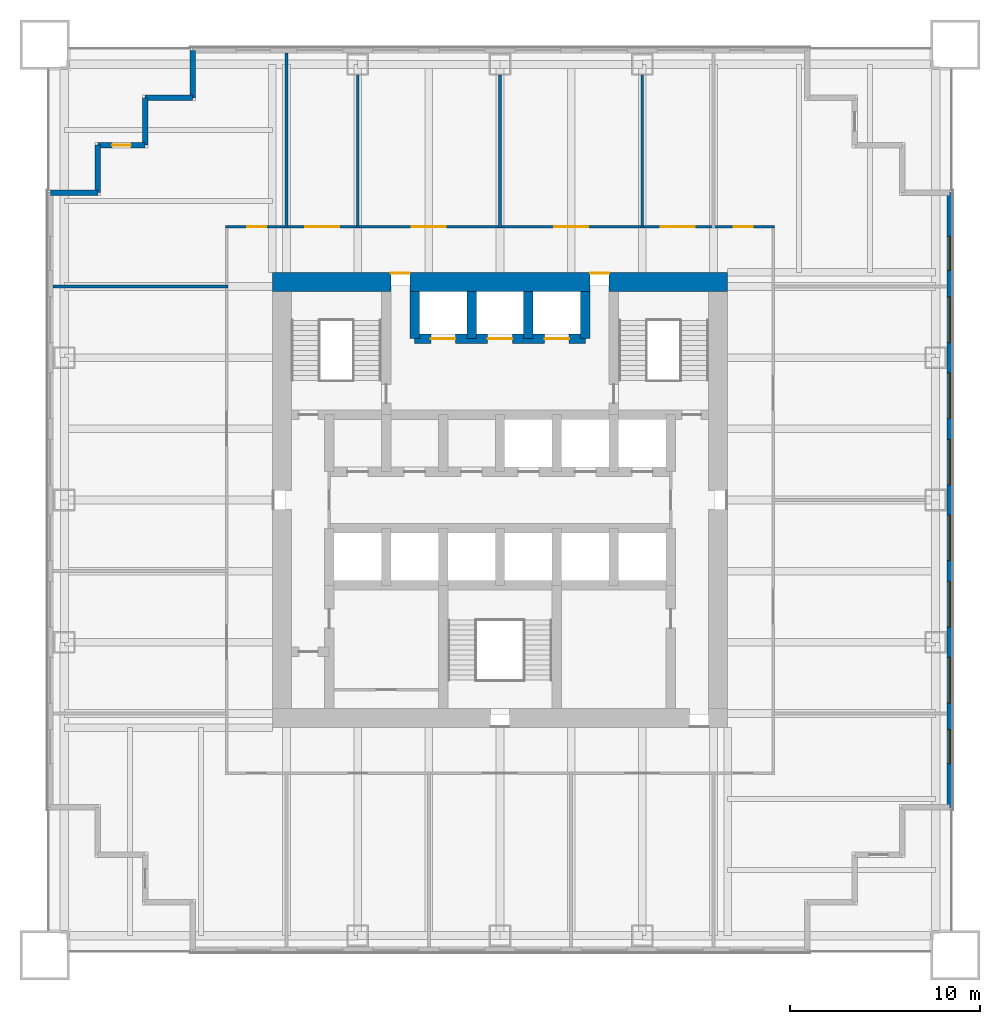
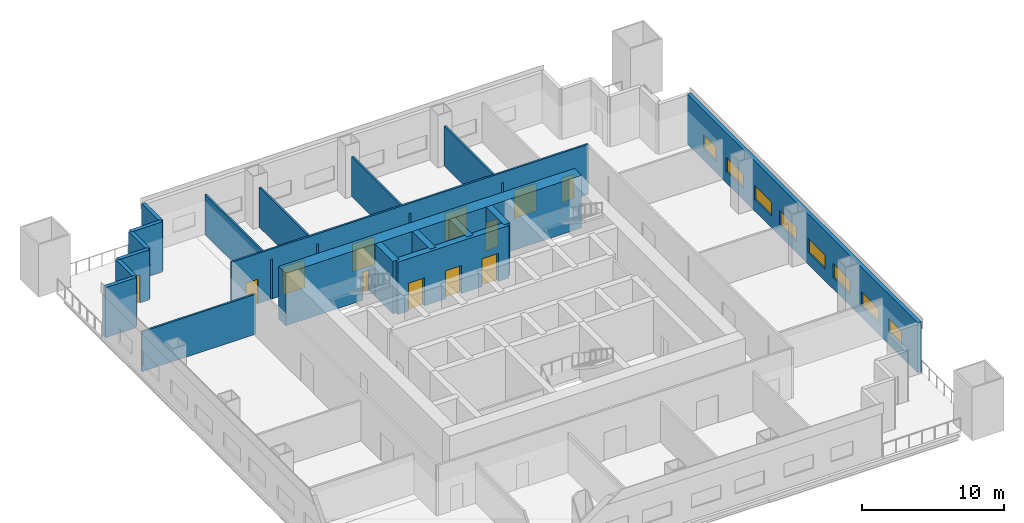
# One storey, part 4 of 6: 19 walls, 12 doors, 8 windows, 20 openings.
"""IFC4 building model written with IfcOpenShell, lengths in metres."""

from ifc_helpers import new_model, si_unit, direction, frame, frame_2d, origin, place, context, subcontext, project, spatial, rectangle, extrude, material, layer, layer_set, type_object, element, fill, save


model = new_model("IFC4")

# Units and contexts
model_context = context("Model", 3, precision=1e-05, world=origin(), true_north=direction((0.0, 1.0)))
body_context = subcontext(model_context, "Body", "Model", "MODEL_VIEW")
ifc_project = project(units=[si_unit("LENGTHUNIT", "METRE"), si_unit("AREAUNIT", "SQUARE_METRE"), si_unit("VOLUMEUNIT", "CUBIC_METRE"), si_unit("PLANEANGLEUNIT", "RADIAN"), si_unit("MASSUNIT", "GRAM", prefix="KILO")], contexts=[model_context])

# Site, building, storey
site_placement = place(None, origin())
site = spatial("IfcSite", under=ifc_project, at=site_placement, CompositionType="ELEMENT")
building_placement = place(site_placement, origin())
building = spatial("IfcBuilding", under=site, at=building_placement, Name="Tarangal Relay Tower", CompositionType="ELEMENT")
storey_placement = place(building_placement, frame((0.0, 0.0, 108.89990234375)))
storey = spatial("IfcBuildingStorey", under=building, at=storey_placement, Name="L21", CompositionType="ELEMENT", Elevation=108.89990234375)

# Wall, openings, doors
ifc_material_1 = material(Name="Concrete fc' 60 MPa", Category="concrete")
ifc_layer_1 = layer(ifc_material_1, 0.5)
ifc_layer_set_1 = layer_set([ifc_layer_1], Name="Core inner wall 500")
wall_type_1 = type_object("IfcWallType", Name="Core inner wall 500", PredefinedType="SHEAR", material=ifc_layer_set_1)
wall_1_placement = place(storey_placement, frame((-4.5, 8.5, 0.0), z_axis=(0.0, 0.0, 1.0), x_axis=(1.0, 0.0, 0.0)))
wall_1 = element("IfcWall", 1, at=wall_1_placement, inside=storey, type_object=wall_type_1, Name="Core wall Y85 L21", PredefinedType="SHEAR", context=body_context, shape_type="SweptSolid", body=[
    extrude(rectangle(XDim=9.0, YDim=0.5, at=frame_2d((4.5, 0.0))), origin(), (0.0, 0.0, 1.0), 4.5),
])
opening_1_placement = place(wall_1_placement, frame((0.85009765625, 0.0, 0.0)))
opening_1 = element("IfcOpeningElement", 2, at=opening_1_placement, cuts=wall_1, Name="Opening LD2", PredefinedType="OPENING", context=body_context, shape_type="SweptSolid", body=[
    extrude(rectangle(XDim=1.300048828125, YDim=2.39990234375, at=frame_2d((0.64990234375, 1.199951171875))), frame((0.0, 0.260009765625, 0.0), z_axis=(0.0, -1.0, 0.0), x_axis=(1.0, 0.0, 0.0)), (0.0, 0.0, 1.0), 0.52001953125),
])
opening_2_placement = place(wall_1_placement, frame((6.85009765625, 0.0, 0.0)))
opening_2 = element("IfcOpeningElement", 3, at=opening_2_placement, cuts=wall_1, Name="Opening LD2", PredefinedType="OPENING", context=body_context, shape_type="SweptSolid", body=[
    extrude(rectangle(XDim=1.300048828125, YDim=2.39990234375, at=frame_2d((0.64990234375, 1.199951171875))), frame((0.0, 0.260009765625, 0.0), z_axis=(0.0, -1.0, 0.0), x_axis=(1.0, 0.0, 0.0)), (0.0, 0.0, 1.0), 0.52001953125),
])
opening_3_placement = place(wall_1_placement, frame((3.85009765625, 0.0, 0.0)))
opening_3 = element("IfcOpeningElement", 4, at=opening_3_placement, cuts=wall_1, Name="Opening LD2", PredefinedType="OPENING", context=body_context, shape_type="SweptSolid", body=[
    extrude(rectangle(XDim=1.300048828125, YDim=2.39990234375, at=frame_2d((0.64990234375, 1.199951171875))), frame((0.0, 0.260009765625, 0.0), z_axis=(0.0, -1.0, 0.0), x_axis=(1.0, 0.0, 0.0)), (0.0, 0.0, 1.0), 0.52001953125),
])
ifc_material_2 = material(Name="Steel door with hardwood frame", Category="steel")
door_type_1 = type_object("IfcDoorType", Name="Lift landing door 1300 x 2400", OperationType="SLIDING_TO_LEFT", PredefinedType="DOOR", material=ifc_material_2)
door_1_placement = place(opening_1_placement, origin())
door_1 = element("IfcDoor", 5, at=door_1_placement, inside=storey, type_object=door_type_1, Name="Lift FF1 landing door L21", OperationType="SLIDING_TO_LEFT", OverallHeight=2.39990234375, OverallWidth=1.300048828125, PredefinedType="DOOR", context=body_context, shape_type="SweptSolid", body=[
    extrude(rectangle(XDim=1.300048828125, YDim=2.39990234375, at=frame_2d((0.64990234375, 1.199951171875))), frame((0.0, 0.02490234375, 0.0), z_axis=(0.0, -1.0, 0.0), x_axis=(1.0, 0.0, 0.0)), (0.0, 0.0, 1.0), 0.050048828125),
])
fill(opening_1, door_1)
door_2_placement = place(opening_2_placement, origin())
door_2 = element("IfcDoor", 6, at=door_2_placement, inside=storey, type_object=door_type_1, Name="Lift FF2 landing door L21", OperationType="SLIDING_TO_LEFT", OverallHeight=2.39990234375, OverallWidth=1.300048828125, PredefinedType="DOOR", context=body_context, shape_type="SweptSolid", body=[
    extrude(rectangle(XDim=1.300048828125, YDim=2.39990234375, at=frame_2d((0.64990234375, 1.199951171875))), frame((0.0, 0.02490234375, 0.0), z_axis=(0.0, -1.0, 0.0), x_axis=(1.0, 0.0, 0.0)), (0.0, 0.0, 1.0), 0.050048828125),
])
fill(opening_2, door_2)
door_3_placement = place(opening_3_placement, origin())
door_3 = element("IfcDoor", 7, at=door_3_placement, inside=storey, type_object=door_type_1, Name="Lift SV1 landing door L21", OperationType="SLIDING_TO_LEFT", OverallHeight=2.39990234375, OverallWidth=1.300048828125, PredefinedType="DOOR", context=body_context, shape_type="SweptSolid", body=[
    extrude(rectangle(XDim=1.300048828125, YDim=2.39990234375, at=frame_2d((0.64990234375, 1.199951171875))), frame((0.0, 0.02490234375, 0.0), z_axis=(0.0, -1.0, 0.0), x_axis=(1.0, 0.0, 0.0)), (0.0, 0.0, 1.0), 0.050048828125),
])
fill(opening_3, door_3)

# Walls
for number, where, z_axis, x_axis, name in (
    (8, (-4.5, 8.5, 0.0), (0.0, 0.0, 1.0), (0.0, 1.0, 0.0), "Core wall XM45 L21"),
    (9, (4.5, 8.5, 0.0), (0.0, 0.0, 1.0), (0.0, 1.0, 0.0), "Core wall X45 L21"),
    (10, (-1.5, 8.5, 0.0), (0.0, 0.0, 1.0), (0.0, 1.0, 0.0), "Core wall XM15 L21"),
    (11, (1.5, 8.5, 0.0), (0.0, 0.0, 1.0), (0.0, 1.0, 0.0), "Core wall X15 L21"),
):
    element("IfcWall", number, at=place(storey_placement, frame(where, z_axis=z_axis, x_axis=x_axis)), inside=storey, type_object=wall_type_1, Name=name, PredefinedType="SHEAR", context=body_context, shape_type="SweptSolid", body=[
        extrude(rectangle(XDim=2.5, YDim=0.5, at=frame_2d((1.25, 0.0))), origin(), (0.0, 0.0, 1.0), 4.5),
    ])

# Wall, openings, doors
ifc_layer_2 = layer(ifc_material_1, 1.0)
ifc_layer_set_2 = layer_set([ifc_layer_2], Name="Core wall 1000")
wall_type_2 = type_object("IfcWallType", Name="Core wall 1000", PredefinedType="SHEAR", material=ifc_layer_set_2)
wall_2_placement = place(storey_placement, frame((-12.0, 11.5, 0.0), z_axis=(0.0, 0.0, 1.0), x_axis=(1.0, 0.0, 0.0)))
wall_2 = element("IfcWall", 12, at=wall_2_placement, inside=storey, type_object=wall_type_2, Name="Core wall N L21", PredefinedType="SHEAR", context=body_context, shape_type="SweptSolid", body=[
    extrude(rectangle(XDim=24.0, YDim=1.0, at=frame_2d((12.0, 0.0))), origin(), (0.0, 0.0, 1.0), 4.5),
])
opening_4_placement = place(wall_2_placement, frame((6.25, 0.0, 0.0)))
opening_4 = element("IfcOpeningElement", 13, at=opening_4_placement, cuts=wall_2, Name="Opening FD3", PredefinedType="OPENING", context=body_context, shape_type="SweptSolid", body=[
    extrude(rectangle(XDim=1.0, YDim=2.39990234375, at=frame_2d((0.5, 1.199951171875))), frame((0.0, 0.510009765625, 0.0), z_axis=(0.0, -1.0, 0.0), x_axis=(1.0, 0.0, 0.0)), (0.0, 0.0, 1.0), 1.02001953125),
])
opening_5_placement = place(wall_2_placement, frame((16.75, 0.0, 0.0)))
opening_5 = element("IfcOpeningElement", 14, at=opening_5_placement, cuts=wall_2, Name="Opening FD3", PredefinedType="OPENING", context=body_context, shape_type="SweptSolid", body=[
    extrude(rectangle(XDim=1.0, YDim=2.39990234375, at=frame_2d((0.5, 1.199951171875))), frame((0.0, 0.510009765625, 0.0), z_axis=(0.0, -1.0, 0.0), x_axis=(1.0, 0.0, 0.0)), (0.0, 0.0, 1.0), 1.02001953125),
])
door_type_2 = type_object("IfcDoorType", Name="Fire door 1000 x 2400 core entry", OperationType="SINGLE_SWING_RIGHT", PredefinedType="DOOR", material=ifc_material_2)
door_4_placement = place(opening_4_placement, origin())
door_4 = element("IfcDoor", 15, at=door_4_placement, inside=storey, type_object=door_type_2, Name="Core entry door north west L21", OperationType="SINGLE_SWING_RIGHT", OverallHeight=2.39990234375, OverallWidth=1.0, PredefinedType="DOOR", context=body_context, shape_type="SweptSolid", body=[
    extrude(rectangle(XDim=1.0, YDim=2.39990234375, at=frame_2d((0.5, 1.199951171875))), frame((0.0, 0.48486328125, 0.0), z_axis=(0.0, -1.0, 0.0), x_axis=(1.0, 0.0, 0.0)), (0.0, 0.0, 1.0), 0.050048828125),
])
fill(opening_4, door_4)
door_5_placement = place(opening_5_placement, origin())
door_5 = element("IfcDoor", 16, at=door_5_placement, inside=storey, type_object=door_type_2, Name="Core entry door north east L21", OperationType="SINGLE_SWING_RIGHT", OverallHeight=2.39990234375, OverallWidth=1.0, PredefinedType="DOOR", context=body_context, shape_type="SweptSolid", body=[
    extrude(rectangle(XDim=1.0, YDim=2.39990234375, at=frame_2d((0.5, 1.199951171875))), frame((0.0, 0.48486328125, 0.0), z_axis=(0.0, -1.0, 0.0), x_axis=(1.0, 0.0, 0.0)), (0.0, 0.0, 1.0), 0.050048828125),
])
fill(opening_5, door_5)

# Wall, openings, windows
ifc_material_3 = material(Name="Insulated precast concrete fc' 40 MPa", Category="concrete")
ifc_layer_3 = layer(ifc_material_3, 0.300048828125)
ifc_layer_set_3 = layer_set([ifc_layer_3], Name="Insulated precast concrete fc' 40 MPa")
wall_type_3 = type_object("IfcWallType", Name="Facade wall precast 300", PredefinedType="SOLIDWALL", material=ifc_layer_set_3)
wall_3_placement = place(storey_placement, frame((23.699951171875, 16.199951171875, 0.0), z_axis=(0.0, 0.0, 1.0), x_axis=(0.0, -1.0, 0.0)))
wall_3 = element("IfcWall", 17, at=wall_3_placement, inside=storey, type_object=wall_type_3, Name="Facade wall E facade L21", PredefinedType="SOLIDWALL", context=body_context, shape_type="SweptSolid", body=[
    extrude(rectangle(XDim=32.39990234375, YDim=0.300048828125, at=frame_2d((16.199951171875, 0.0))), origin(), (0.0, 0.0, 1.0), 4.300048828125),
])
opening_6_placement = place(wall_3_placement, frame((2.300048828125, 0.0, 1.0)))
opening_6 = element("IfcOpeningElement", 18, at=opening_6_placement, cuts=wall_3, Name="Opening WN5", PredefinedType="OPENING", context=body_context, shape_type="SweptSolid", body=[
    extrude(rectangle(XDim=1.800048828125, YDim=1.199951171875, at=frame_2d((0.89990234375, 0.60009765625))), frame((0.0, 0.159912109375, 0.0), z_axis=(0.0, -1.0, 0.0), x_axis=(1.0, 0.0, 0.0)), (0.0, 0.0, 1.0), 0.320068359375),
])
opening_7_placement = place(wall_3_placement, frame((5.5, 0.0, 1.0)))
opening_7 = element("IfcOpeningElement", 19, at=opening_7_placement, cuts=wall_3, Name="Opening WN1", PredefinedType="OPENING", context=body_context, shape_type="SweptSolid", body=[
    extrude(rectangle(XDim=2.39990234375, YDim=1.199951171875, at=frame_2d((1.199951171875, 0.60009765625))), frame((0.0, 0.159912109375, 0.0), z_axis=(0.0, -1.0, 0.0), x_axis=(1.0, 0.0, 0.0)), (0.0, 0.0, 1.0), 0.320068359375),
])
opening_8_placement = place(wall_3_placement, frame((9.5, 0.0, 1.0)))
opening_8 = element("IfcOpeningElement", 20, at=opening_8_placement, cuts=wall_3, Name="Opening WN1", PredefinedType="OPENING", context=body_context, shape_type="SweptSolid", body=[
    extrude(rectangle(XDim=2.39990234375, YDim=1.199951171875, at=frame_2d((1.199951171875, 0.60009765625))), frame((0.0, 0.159912109375, 0.0), z_axis=(0.0, -1.0, 0.0), x_axis=(1.0, 0.0, 0.0)), (0.0, 0.0, 1.0), 0.320068359375),
])
opening_9_placement = place(wall_3_placement, frame((13.0, 0.0, 1.0)))
opening_9 = element("IfcOpeningElement", 21, at=opening_9_placement, cuts=wall_3, Name="Opening WN1", PredefinedType="OPENING", context=body_context, shape_type="SweptSolid", body=[
    extrude(rectangle(XDim=2.39990234375, YDim=1.199951171875, at=frame_2d((1.199951171875, 0.60009765625))), frame((0.0, 0.159912109375, 0.0), z_axis=(0.0, -1.0, 0.0), x_axis=(1.0, 0.0, 0.0)), (0.0, 0.0, 1.0), 0.320068359375),
])
opening_10_placement = place(wall_3_placement, frame((17.0, 0.0, 1.0)))
opening_10 = element("IfcOpeningElement", 22, at=opening_10_placement, cuts=wall_3, Name="Opening WN1", PredefinedType="OPENING", context=body_context, shape_type="SweptSolid", body=[
    extrude(rectangle(XDim=2.39990234375, YDim=1.199951171875, at=frame_2d((1.199951171875, 0.60009765625))), frame((0.0, 0.159912109375, 0.0), z_axis=(0.0, -1.0, 0.0), x_axis=(1.0, 0.0, 0.0)), (0.0, 0.0, 1.0), 0.320068359375),
])
opening_11_placement = place(wall_3_placement, frame((20.5, 0.0, 1.0)))
opening_11 = element("IfcOpeningElement", 23, at=opening_11_placement, cuts=wall_3, Name="Opening WN1", PredefinedType="OPENING", context=body_context, shape_type="SweptSolid", body=[
    extrude(rectangle(XDim=2.39990234375, YDim=1.199951171875, at=frame_2d((1.199951171875, 0.60009765625))), frame((0.0, 0.159912109375, 0.0), z_axis=(0.0, -1.0, 0.0), x_axis=(1.0, 0.0, 0.0)), (0.0, 0.0, 1.0), 0.320068359375),
])
opening_12_placement = place(wall_3_placement, frame((24.5, 0.0, 1.0)))
opening_12 = element("IfcOpeningElement", 24, at=opening_12_placement, cuts=wall_3, Name="Opening WN1", PredefinedType="OPENING", context=body_context, shape_type="SweptSolid", body=[
    extrude(rectangle(XDim=2.39990234375, YDim=1.199951171875, at=frame_2d((1.199951171875, 0.60009765625))), frame((0.0, 0.159912109375, 0.0), z_axis=(0.0, -1.0, 0.0), x_axis=(1.0, 0.0, 0.0)), (0.0, 0.0, 1.0), 0.320068359375),
])
opening_13_placement = place(wall_3_placement, frame((28.300048828125, 0.0, 1.0)))
opening_13 = element("IfcOpeningElement", 25, at=opening_13_placement, cuts=wall_3, Name="Opening WN5", PredefinedType="OPENING", context=body_context, shape_type="SweptSolid", body=[
    extrude(rectangle(XDim=1.800048828125, YDim=1.199951171875, at=frame_2d((0.89990234375, 0.60009765625))), frame((0.0, 0.159912109375, 0.0), z_axis=(0.0, -1.0, 0.0), x_axis=(1.0, 0.0, 0.0)), (0.0, 0.0, 1.0), 0.320068359375),
])
ifc_material_4 = material(Name="Dark tinted double glazing in black aluminium frame", Category="aluminium")
window_type_1 = type_object("IfcWindowType", Name="Ribbon window 1800 x 1200", PartitioningType="SINGLE_PANEL", PredefinedType="WINDOW", material=ifc_material_4)
window_1_placement = place(opening_6_placement, origin())
window_1 = element("IfcWindow", 26, at=window_1_placement, inside=storey, type_object=window_type_1, Name="Ribbon window WN5 E facade L21", OverallHeight=1.199951171875, OverallWidth=1.800048828125, PartitioningType="SINGLE_PANEL", PredefinedType="WINDOW", context=body_context, shape_type="SweptSolid", body=[
    extrude(rectangle(XDim=1.800048828125, YDim=1.199951171875, at=frame_2d((0.89990234375, 0.60009765625))), frame((0.0, 0.030029296875, 0.0), z_axis=(0.0, -1.0, 0.0), x_axis=(1.0, 0.0, 0.0)), (0.0, 0.0, 1.0), 0.06005859375),
])
fill(opening_6, window_1)
window_2_placement = place(opening_13_placement, origin())
window_2 = element("IfcWindow", 27, at=window_2_placement, inside=storey, type_object=window_type_1, Name="Ribbon window WN5 E facade L21", OverallHeight=1.199951171875, OverallWidth=1.800048828125, PartitioningType="SINGLE_PANEL", PredefinedType="WINDOW", context=body_context, shape_type="SweptSolid", body=[
    extrude(rectangle(XDim=1.800048828125, YDim=1.199951171875, at=frame_2d((0.89990234375, 0.60009765625))), frame((0.0, 0.030029296875, 0.0), z_axis=(0.0, -1.0, 0.0), x_axis=(1.0, 0.0, 0.0)), (0.0, 0.0, 1.0), 0.06005859375),
])
fill(opening_13, window_2)
window_type_2 = type_object("IfcWindowType", Name="Ribbon window 2400 x 1200", PartitioningType="SINGLE_PANEL", PredefinedType="WINDOW", material=ifc_material_4)
window_3_placement = place(opening_7_placement, origin())
window_3 = element("IfcWindow", 28, at=window_3_placement, inside=storey, type_object=window_type_2, Name="Ribbon window WN1 E facade L21", OverallHeight=1.199951171875, OverallWidth=2.39990234375, PartitioningType="SINGLE_PANEL", PredefinedType="WINDOW", context=body_context, shape_type="SweptSolid", body=[
    extrude(rectangle(XDim=2.39990234375, YDim=1.199951171875, at=frame_2d((1.199951171875, 0.60009765625))), frame((0.0, 0.030029296875, 0.0), z_axis=(0.0, -1.0, 0.0), x_axis=(1.0, 0.0, 0.0)), (0.0, 0.0, 1.0), 0.06005859375),
])
fill(opening_7, window_3)
window_4_placement = place(opening_8_placement, origin())
window_4 = element("IfcWindow", 29, at=window_4_placement, inside=storey, type_object=window_type_2, Name="Ribbon window WN1 E facade L21", OverallHeight=1.199951171875, OverallWidth=2.39990234375, PartitioningType="SINGLE_PANEL", PredefinedType="WINDOW", context=body_context, shape_type="SweptSolid", body=[
    extrude(rectangle(XDim=2.39990234375, YDim=1.199951171875, at=frame_2d((1.199951171875, 0.60009765625))), frame((0.0, 0.030029296875, 0.0), z_axis=(0.0, -1.0, 0.0), x_axis=(1.0, 0.0, 0.0)), (0.0, 0.0, 1.0), 0.06005859375),
])
fill(opening_8, window_4)
window_5_placement = place(opening_9_placement, origin())
window_5 = element("IfcWindow", 30, at=window_5_placement, inside=storey, type_object=window_type_2, Name="Ribbon window WN1 E facade L21", OverallHeight=1.199951171875, OverallWidth=2.39990234375, PartitioningType="SINGLE_PANEL", PredefinedType="WINDOW", context=body_context, shape_type="SweptSolid", body=[
    extrude(rectangle(XDim=2.39990234375, YDim=1.199951171875, at=frame_2d((1.199951171875, 0.60009765625))), frame((0.0, 0.030029296875, 0.0), z_axis=(0.0, -1.0, 0.0), x_axis=(1.0, 0.0, 0.0)), (0.0, 0.0, 1.0), 0.06005859375),
])
fill(opening_9, window_5)
window_6_placement = place(opening_10_placement, origin())
window_6 = element("IfcWindow", 31, at=window_6_placement, inside=storey, type_object=window_type_2, Name="Ribbon window WN1 E facade L21", OverallHeight=1.199951171875, OverallWidth=2.39990234375, PartitioningType="SINGLE_PANEL", PredefinedType="WINDOW", context=body_context, shape_type="SweptSolid", body=[
    extrude(rectangle(XDim=2.39990234375, YDim=1.199951171875, at=frame_2d((1.199951171875, 0.60009765625))), frame((0.0, 0.030029296875, 0.0), z_axis=(0.0, -1.0, 0.0), x_axis=(1.0, 0.0, 0.0)), (0.0, 0.0, 1.0), 0.06005859375),
])
fill(opening_10, window_6)
window_7_placement = place(opening_11_placement, origin())
window_7 = element("IfcWindow", 32, at=window_7_placement, inside=storey, type_object=window_type_2, Name="Ribbon window WN1 E facade L21", OverallHeight=1.199951171875, OverallWidth=2.39990234375, PartitioningType="SINGLE_PANEL", PredefinedType="WINDOW", context=body_context, shape_type="SweptSolid", body=[
    extrude(rectangle(XDim=2.39990234375, YDim=1.199951171875, at=frame_2d((1.199951171875, 0.60009765625))), frame((0.0, 0.030029296875, 0.0), z_axis=(0.0, -1.0, 0.0), x_axis=(1.0, 0.0, 0.0)), (0.0, 0.0, 1.0), 0.06005859375),
])
fill(opening_11, window_7)
window_8_placement = place(opening_12_placement, origin())
window_8 = element("IfcWindow", 33, at=window_8_placement, inside=storey, type_object=window_type_2, Name="Ribbon window WN1 E facade L21", OverallHeight=1.199951171875, OverallWidth=2.39990234375, PartitioningType="SINGLE_PANEL", PredefinedType="WINDOW", context=body_context, shape_type="SweptSolid", body=[
    extrude(rectangle(XDim=2.39990234375, YDim=1.199951171875, at=frame_2d((1.199951171875, 0.60009765625))), frame((0.0, 0.030029296875, 0.0), z_axis=(0.0, -1.0, 0.0), x_axis=(1.0, 0.0, 0.0)), (0.0, 0.0, 1.0), 0.06005859375),
])
fill(opening_12, window_8)

# Walls
for number, where, z_axis, x_axis, name in (
    (34, (-23.699951171875, 16.199951171875, 0.0), (0.0, 0.0, 1.0), (1.0, 0.0, 0.0), "Facade wall W facade L21"),
    (35, (-21.199951171875, 16.199951171875, 0.0), (0.0, 0.0, 1.0), (0.0, 1.0, 0.0), "Facade wall W facade L21"),
):
    element("IfcWall", number, at=place(storey_placement, frame(where, z_axis=z_axis, x_axis=x_axis)), inside=storey, type_object=wall_type_3, Name=name, PredefinedType="SOLIDWALL", context=body_context, shape_type="SweptSolid", body=[
        extrude(rectangle(XDim=2.5, YDim=0.300048828125, at=frame_2d((1.25, 0.0))), origin(), (0.0, 0.0, 1.0), 4.300048828125),
    ])

# Wall, opening, door
wall_4_placement = place(storey_placement, frame((-21.199951171875, 18.699951171875, 0.0), z_axis=(0.0, 0.0, 1.0), x_axis=(1.0, 0.0, 0.0)))
wall_4 = element("IfcWall", 36, at=wall_4_placement, inside=storey, type_object=wall_type_3, Name="Facade wall W facade L21", PredefinedType="SOLIDWALL", context=body_context, shape_type="SweptSolid", body=[
    extrude(rectangle(XDim=2.5, YDim=0.300048828125, at=frame_2d((1.25, 0.0))), origin(), (0.0, 0.0, 1.0), 4.300048828125),
])
opening_14_placement = place(wall_4_placement, frame((0.75, 0.0, 0.0)))
opening_14 = element("IfcOpeningElement", 37, at=opening_14_placement, cuts=wall_4, Name="Opening TD1", PredefinedType="OPENING", context=body_context, shape_type="SweptSolid", body=[
    extrude(rectangle(XDim=1.0, YDim=2.39990234375, at=frame_2d((0.5, 1.199951171875))), frame((0.0, 0.159912109375, 0.0), z_axis=(0.0, -1.0, 0.0), x_axis=(1.0, 0.0, 0.0)), (0.0, 0.0, 1.0), 0.320068359375),
])
ifc_material_5 = material(Name="Aluminium glazed door", Category="aluminium")
door_type_3 = type_object("IfcDoorType", Name="Terrace door 1000 x 2400", OperationType="SINGLE_SWING_RIGHT", PredefinedType="DOOR", material=ifc_material_5)
door_6_placement = place(opening_14_placement, origin())
door_6 = element("IfcDoor", 38, at=door_6_placement, inside=storey, type_object=door_type_3, Name="Terrace door TD1 NW L21", OperationType="SINGLE_SWING_RIGHT", OverallHeight=2.39990234375, OverallWidth=1.0, PredefinedType="DOOR", context=body_context, shape_type="SweptSolid", body=[
    extrude(rectangle(XDim=1.0, YDim=2.39990234375, at=frame_2d((0.5, 1.199951171875))), frame((0.0, 0.02490234375, 0.0), z_axis=(0.0, -1.0, 0.0), x_axis=(1.0, 0.0, 0.0)), (0.0, 0.0, 1.0), 0.050048828125),
])
fill(opening_14, door_6)

# Walls
for number, where, z_axis, x_axis, name in (
    (39, (-18.699951171875, 18.699951171875, 0.0), (0.0, 0.0, 1.0), (0.0, 1.0, 0.0), "Facade wall W facade L21"),
    (40, (-18.699951171875, 21.199951171875, 0.0), (0.0, 0.0, 1.0), (1.0, 0.0, 0.0), "Facade wall W facade L21"),
    (41, (-16.199951171875, 21.199951171875, 0.0), (0.0, 0.0, 1.0), (0.0, 1.0, 0.0), "Facade wall W facade L21"),
):
    element("IfcWall", number, at=place(storey_placement, frame(where, z_axis=z_axis, x_axis=x_axis)), inside=storey, type_object=wall_type_3, Name=name, PredefinedType="SOLIDWALL", context=body_context, shape_type="SweptSolid", body=[
        extrude(rectangle(XDim=2.5, YDim=0.300048828125, at=frame_2d((1.25, 0.0))), origin(), (0.0, 0.0, 1.0), 4.300048828125),
    ])
ifc_material_6 = material(Name="Gypsum board on steel studs", Category="steel")
ifc_layer_4 = layer(ifc_material_6, 0.14990234375)
ifc_layer_set_4 = layer_set([ifc_layer_4], Name="Partition 150")
wall_type_4 = type_object("IfcWallType", Name="Partition 150", PredefinedType="PARTITIONING", material=ifc_layer_set_4)
wall_5_placement = place(storey_placement, frame((-23.550048828125, 11.25, 0.0), z_axis=(0.0, 0.0, 1.0), x_axis=(1.0, 0.0, 0.0)))
element("IfcWall", 42, at=wall_5_placement, inside=storey, type_object=wall_type_4, Name="Partition PT1 L21", PredefinedType="PARTITIONING", context=body_context, shape_type="SweptSolid", body=[
    extrude(rectangle(XDim=9.22509765625, YDim=0.14990234375, at=frame_2d((4.612548828125, 0.0))), origin(), (0.0, 0.0, 1.0), 3.431396484375),
])

# Wall, openings, doors
wall_6_placement = place(storey_placement, frame((-14.47509765625, 14.39990234375, 0.0), z_axis=(0.0, 0.0, 1.0), x_axis=(1.0, 0.0, 0.0)))
wall_6 = element("IfcWall", 43, at=wall_6_placement, inside=storey, type_object=wall_type_4, Name="Partition PT1 L21", PredefinedType="PARTITIONING", context=body_context, shape_type="SweptSolid", body=[
    extrude(rectangle(XDim=28.9501953125, YDim=0.14990234375, at=frame_2d((14.47509765625, 0.0))), origin(), (0.0, 0.0, 1.0), 4.300048828125),
])
opening_15_placement = place(wall_6_placement, frame((4.199951171875, 0.0, 0.0)))
opening_15 = element("IfcOpeningElement", 44, at=opening_15_placement, cuts=wall_6, Name="Opening DD1", PredefinedType="OPENING", context=body_context, shape_type="SweptSolid", body=[
    extrude(rectangle(XDim=1.800048828125, YDim=2.39990234375, at=frame_2d((0.89990234375, 1.199951171875))), frame((0.0, 0.0849609375, 0.0), z_axis=(0.0, -1.0, 0.0), x_axis=(1.0, 0.0, 0.0)), (0.0, 0.0, 1.0), 0.169921875),
])
opening_16_placement = place(wall_6_placement, frame((9.824951171875, 0.0, 0.0)))
opening_16 = element("IfcOpeningElement", 45, at=opening_16_placement, cuts=wall_6, Name="Opening DD1", PredefinedType="OPENING", context=body_context, shape_type="SweptSolid", body=[
    extrude(rectangle(XDim=1.800048828125, YDim=2.39990234375, at=frame_2d((0.89990234375, 1.199951171875))), frame((0.0, 0.0849609375, 0.0), z_axis=(0.0, -1.0, 0.0), x_axis=(1.0, 0.0, 0.0)), (0.0, 0.0, 1.0), 0.169921875),
])
opening_17_placement = place(wall_6_placement, frame((17.324951171875, 0.0, 0.0)))
opening_17 = element("IfcOpeningElement", 46, at=opening_17_placement, cuts=wall_6, Name="Opening DD1", PredefinedType="OPENING", context=body_context, shape_type="SweptSolid", body=[
    extrude(rectangle(XDim=1.800048828125, YDim=2.39990234375, at=frame_2d((0.89990234375, 1.199951171875))), frame((0.0, 0.0849609375, 0.0), z_axis=(0.0, -1.0, 0.0), x_axis=(1.0, 0.0, 0.0)), (0.0, 0.0, 1.0), 0.169921875),
])
opening_18_placement = place(wall_6_placement, frame((22.949951171875, 0.0, 0.0)))
opening_18 = element("IfcOpeningElement", 47, at=opening_18_placement, cuts=wall_6, Name="Opening DD1", PredefinedType="OPENING", context=body_context, shape_type="SweptSolid", body=[
    extrude(rectangle(XDim=1.800048828125, YDim=2.39990234375, at=frame_2d((0.89990234375, 1.199951171875))), frame((0.0, 0.0849609375, 0.0), z_axis=(0.0, -1.0, 0.0), x_axis=(1.0, 0.0, 0.0)), (0.0, 0.0, 1.0), 0.169921875),
])
opening_19_placement = place(wall_6_placement, frame((26.800048828125, 0.0, 0.0)))
opening_19 = element("IfcOpeningElement", 48, at=opening_19_placement, cuts=wall_6, Name="Opening D2", PredefinedType="OPENING", context=body_context, shape_type="SweptSolid", body=[
    extrude(rectangle(XDim=1.0, YDim=2.10009765625, at=frame_2d((0.5, 1.050048828125))), frame((0.0, 0.0849609375, 0.0), z_axis=(0.0, -1.0, 0.0), x_axis=(1.0, 0.0, 0.0)), (0.0, 0.0, 1.0), 0.169921875),
])
opening_20_placement = place(wall_6_placement, frame((1.14990234375, 0.0, 0.0)))
opening_20 = element("IfcOpeningElement", 49, at=opening_20_placement, cuts=wall_6, Name="Opening D2", PredefinedType="OPENING", context=body_context, shape_type="SweptSolid", body=[
    extrude(rectangle(XDim=1.0, YDim=2.10009765625, at=frame_2d((0.5, 1.050048828125))), frame((0.0, 0.0849609375, 0.0), z_axis=(0.0, -1.0, 0.0), x_axis=(1.0, 0.0, 0.0)), (0.0, 0.0, 1.0), 0.169921875),
])
ifc_material_7 = material(Name="Hardwood door", Category="wood")
door_type_4 = type_object("IfcDoorType", Name="Door 1000 x 2100", OperationType="SINGLE_SWING_LEFT", PredefinedType="DOOR", material=ifc_material_7)
door_7_placement = place(opening_19_placement, origin())
door_7 = element("IfcDoor", 50, at=door_7_placement, inside=storey, type_object=door_type_4, Name="Door D2 to carrier staff office L21-13", OperationType="SINGLE_SWING_LEFT", OverallHeight=2.10009765625, OverallWidth=1.0, PredefinedType="DOOR", context=body_context, shape_type="SweptSolid", body=[
    extrude(rectangle(XDim=1.0, YDim=2.10009765625, at=frame_2d((0.5, 1.050048828125))), frame((0.0, 0.02490234375, 0.0), z_axis=(0.0, -1.0, 0.0), x_axis=(1.0, 0.0, 0.0)), (0.0, 0.0, 1.0), 0.050048828125),
])
fill(opening_19, door_7)
door_8_placement = place(opening_20_placement, origin())
door_8 = element("IfcDoor", 51, at=door_8_placement, inside=storey, type_object=door_type_4, Name="Door D2 to engineering office L21-16", OperationType="SINGLE_SWING_LEFT", OverallHeight=2.10009765625, OverallWidth=1.0, PredefinedType="DOOR", context=body_context, shape_type="SweptSolid", body=[
    extrude(rectangle(XDim=1.0, YDim=2.10009765625, at=frame_2d((0.5, 1.050048828125))), frame((0.0, 0.02490234375, 0.0), z_axis=(0.0, -1.0, 0.0), x_axis=(1.0, 0.0, 0.0)), (0.0, 0.0, 1.0), 0.050048828125),
])
fill(opening_20, door_8)
door_type_5 = type_object("IfcDoorType", Name="Equipment double door 1800 x 2400", OperationType="DOUBLE_DOOR_SINGLE_SWING", PredefinedType="DOOR", material=ifc_material_2)
door_9_placement = place(opening_15_placement, origin())
door_9 = element("IfcDoor", 52, at=door_9_placement, inside=storey, type_object=door_type_5, Name="Door DD1 to carrier equipment room L21-02", OperationType="DOUBLE_DOOR_SINGLE_SWING", OverallHeight=2.39990234375, OverallWidth=1.800048828125, PredefinedType="DOOR", context=body_context, shape_type="SweptSolid", body=[
    extrude(rectangle(XDim=1.800048828125, YDim=2.39990234375, at=frame_2d((0.89990234375, 1.199951171875))), frame((0.0, 0.02490234375, 0.0), z_axis=(0.0, -1.0, 0.0), x_axis=(1.0, 0.0, 0.0)), (0.0, 0.0, 1.0), 0.050048828125),
])
fill(opening_15, door_9)
door_10_placement = place(opening_16_placement, origin())
door_10 = element("IfcDoor", 53, at=door_10_placement, inside=storey, type_object=door_type_5, Name="Door DD1 to carrier equipment room L21-03", OperationType="DOUBLE_DOOR_SINGLE_SWING", OverallHeight=2.39990234375, OverallWidth=1.800048828125, PredefinedType="DOOR", context=body_context, shape_type="SweptSolid", body=[
    extrude(rectangle(XDim=1.800048828125, YDim=2.39990234375, at=frame_2d((0.89990234375, 1.199951171875))), frame((0.0, 0.02490234375, 0.0), z_axis=(0.0, -1.0, 0.0), x_axis=(1.0, 0.0, 0.0)), (0.0, 0.0, 1.0), 0.050048828125),
])
fill(opening_16, door_10)
door_11_placement = place(opening_17_placement, origin())
door_11 = element("IfcDoor", 54, at=door_11_placement, inside=storey, type_object=door_type_5, Name="Door DD1 to carrier equipment room L21-04", OperationType="DOUBLE_DOOR_SINGLE_SWING", OverallHeight=2.39990234375, OverallWidth=1.800048828125, PredefinedType="DOOR", context=body_context, shape_type="SweptSolid", body=[
    extrude(rectangle(XDim=1.800048828125, YDim=2.39990234375, at=frame_2d((0.89990234375, 1.199951171875))), frame((0.0, 0.02490234375, 0.0), z_axis=(0.0, -1.0, 0.0), x_axis=(1.0, 0.0, 0.0)), (0.0, 0.0, 1.0), 0.050048828125),
])
fill(opening_17, door_11)
door_12_placement = place(opening_18_placement, origin())
door_12 = element("IfcDoor", 55, at=door_12_placement, inside=storey, type_object=door_type_5, Name="Door DD1 to carrier equipment room L21-05", OperationType="DOUBLE_DOOR_SINGLE_SWING", OverallHeight=2.39990234375, OverallWidth=1.800048828125, PredefinedType="DOOR", context=body_context, shape_type="SweptSolid", body=[
    extrude(rectangle(XDim=1.800048828125, YDim=2.39990234375, at=frame_2d((0.89990234375, 1.199951171875))), frame((0.0, 0.02490234375, 0.0), z_axis=(0.0, -1.0, 0.0), x_axis=(1.0, 0.0, 0.0)), (0.0, 0.0, 1.0), 0.050048828125),
])
fill(opening_18, door_12)

# Walls
wall_7_placement = place(storey_placement, frame((-11.25, 14.324951171875, 0.0), z_axis=(0.0, 0.0, 1.0), x_axis=(0.0, 1.0, 0.0)))
element("IfcWall", 56, at=wall_7_placement, inside=storey, type_object=wall_type_4, Name="Partition PT1 L21", PredefinedType="PARTITIONING", context=body_context, shape_type="SweptSolid", body=[
    extrude(rectangle(XDim=9.22509765625, YDim=0.14990234375, at=frame_2d((4.612548828125, 0.0))), origin(), (0.0, 0.0, 1.0), 3.431396484375),
])
for number, where, z_axis, x_axis, name in (
    (57, (-7.5, 14.324951171875, 0.0), (0.0, 0.0, 1.0), (0.0, 1.0, 0.0), "Partition PT1 L21"),
    (58, (0.0, 14.324951171875, 0.0), (0.0, 0.0, 1.0), (0.0, 1.0, 0.0), "Partition PT1 L21"),
    (59, (7.5, 14.324951171875, 0.0), (0.0, 0.0, 1.0), (0.0, 1.0, 0.0), "Partition PT1 L21"),
):
    element("IfcWall", number, at=place(storey_placement, frame(where, z_axis=z_axis, x_axis=x_axis)), inside=storey, type_object=wall_type_4, Name=name, PredefinedType="PARTITIONING", context=body_context, shape_type="SweptSolid", body=[
        extrude(rectangle(XDim=8.06494140625, YDim=0.14990234375, at=frame_2d((4.032470703125, 0.0))), origin(), (0.0, 0.0, 1.0), 3.431396484375),
    ])

save(model, "model.ifc")
